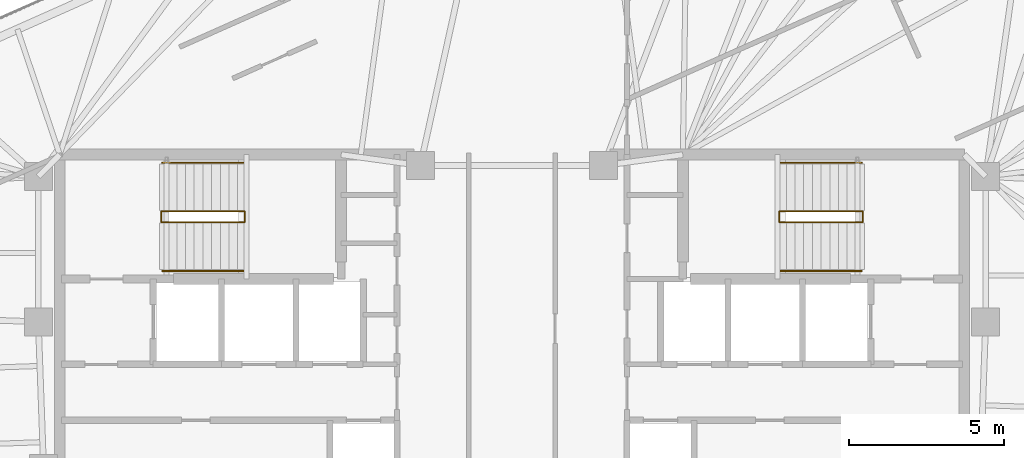
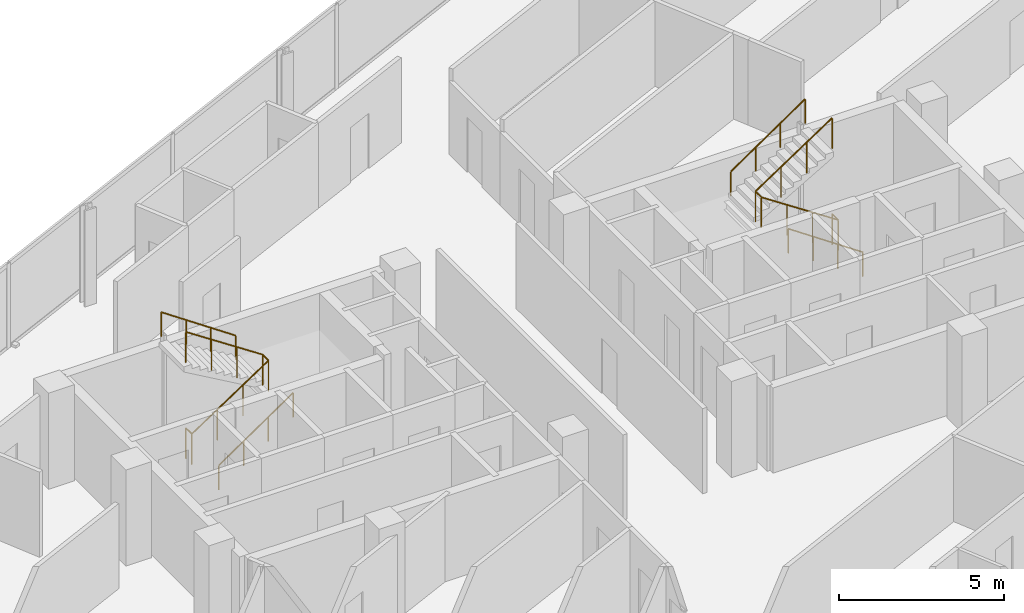
# One storey, part 19 of 19: 6 railings.
"""IFC4 building model written with IfcOpenShell, lengths in metres."""

from ifc_helpers import new_model, si_unit, direction, frame, origin, origin_2d, place, context, subcontext, project, spatial, circle, extrude, material, type_object, element, save


model = new_model("IFC4")

# Units and contexts
model_context = context("Model", 3, precision=1e-05, world=origin(), true_north=direction((0.0, 1.0)))
body_context = subcontext(model_context, "Body", "Model", "MODEL_VIEW")
ifc_project = project(units=[si_unit("LENGTHUNIT", "METRE"), si_unit("AREAUNIT", "SQUARE_METRE"), si_unit("VOLUMEUNIT", "CUBIC_METRE"), si_unit("PLANEANGLEUNIT", "RADIAN"), si_unit("MASSUNIT", "GRAM", prefix="KILO")], contexts=[model_context])

# Site, building, storey
site_placement = place(None, origin())
site = spatial("IfcSite", under=ifc_project, at=site_placement, CompositionType="ELEMENT")
building_placement = place(site_placement, origin())
building = spatial("IfcBuilding", under=site, at=building_placement, Name="Menara Jurai Vektor", CompositionType="ELEMENT")
storey_placement = place(building_placement, frame((0.0, 0.0, 302.0)))
storey = spatial("IfcBuildingStorey", under=building, at=storey_placement, Name="L81", CompositionType="ELEMENT", Elevation=302.0)

# Railings
ifc_material_1 = material(Name="Painted Galvanised Steel Balustrade", Category="steel")
railing_type_1 = type_object("IfcRailingType", Name="RAIL-STAIR-GUARD", PredefinedType="GUARDRAIL", material=ifc_material_1)
railing_1_placement = place(storey_placement, frame((-11.2900390625, 3.780029296875, 0.0)))
element("IfcRailing", 1, at=railing_1_placement, inside=storey, type_object=railing_type_1, Name="ST1 Stair Guardrail 1 L81", PredefinedType="GUARDRAIL", context=body_context, shape_type="SweptSolid", body=[
    extrude(circle(Radius=0.02392578125, at=origin_2d()), frame((0.0, 0.0, 1.1259765625), z_axis=(0.0, -1.0, 0.0), x_axis=(1.0, 0.0, 0.0)), (0.0, 0.0, 1.0), 0.360107421875),
    extrude(circle(Radius=0.02392578125, at=origin_2d()), frame((0.0, -0.360107421875, 1.1259765625), z_axis=(0.833729103219, 0.0, 0.552173688658), x_axis=(0.0, 1.0, 0.0)), (0.0, 0.0, 1.0), 3.21435546875),
    extrude(circle(Radius=0.02392578125, at=origin_2d()), frame((2.679931640625, -0.360107421875, 2.90087890625), z_axis=(0.0, 1.0, 0.0), x_axis=(-1.0, 0.0, 0.0)), (0.0, 0.0, 1.0), 0.360107421875),
    extrude(circle(Radius=0.02392578125, at=origin_2d()), frame((2.679931640625, 0.0, 2.90087890625), z_axis=(-0.833694137334, 0.0, 0.552226480146), x_axis=(0.0, -1.0, 0.0)), (0.0, 0.0, 1.0), 3.214599609375),
    extrude(circle(Radius=0.02099609375, at=origin_2d()), origin(), (0.0, 0.0, 1.0), 1.101806640625),
    extrude(circle(Radius=0.02099609375, at=origin_2d()), frame((0.0, -0.360107421875, 0.0)), (0.0, 0.0, 1.0), 1.101806640625),
    extrude(circle(Radius=0.02099609375, at=origin_2d()), frame((0.893310546875, -0.360107421875, 0.591552734375)), (0.0, 0.0, 1.0), 1.101806640625),
    extrude(circle(Radius=0.02099609375, at=origin_2d()), frame((1.78662109375, -0.360107421875, 1.183349609375)), (0.0, 0.0, 1.0), 1.101806640625),
    extrude(circle(Radius=0.02099609375, at=origin_2d()), frame((2.679931640625, -0.360107421875, 1.77490234375)), (0.0, 0.0, 1.0), 1.101806640625),
    extrude(circle(Radius=0.02099609375, at=origin_2d()), frame((2.679931640625, 0.0, 1.77490234375)), (0.0, 0.0, 1.0), 1.101806640625),
    extrude(circle(Radius=0.02099609375, at=origin_2d()), frame((1.78662109375, 0.0, 2.36669921875)), (0.0, 0.0, 1.0), 1.101806640625),
    extrude(circle(Radius=0.02099609375, at=origin_2d()), frame((0.893310546875, 0.0, 2.958251953125)), (0.0, 0.0, 1.0), 1.101806640625),
    extrude(circle(Radius=0.02099609375, at=origin_2d()), frame((0.0, 0.0, 3.550048828125)), (0.0, 0.0, 1.0), 1.101806640625),
])
railing_2_placement = place(storey_placement, frame((11.2900390625, 3.780029296875, 0.0)))
element("IfcRailing", 2, at=railing_2_placement, inside=storey, type_object=railing_type_1, Name="ST2 Stair Guardrail 1 L81", PredefinedType="GUARDRAIL", context=body_context, shape_type="SweptSolid", body=[
    extrude(circle(Radius=0.02392578125, at=origin_2d()), frame((0.0, 0.0, 1.1259765625), z_axis=(0.0, -1.0, 0.0), x_axis=(1.0, 0.0, 0.0)), (0.0, 0.0, 1.0), 0.360107421875),
    extrude(circle(Radius=0.02392578125, at=origin_2d()), frame((0.0, -0.360107421875, 1.1259765625), z_axis=(-0.833729103219, 0.0, 0.552173688658), x_axis=(0.0, -1.0, 0.0)), (0.0, 0.0, 1.0), 3.21435546875),
    extrude(circle(Radius=0.02392578125, at=origin_2d()), frame((-2.679931640625, -0.360107421875, 2.90087890625), z_axis=(0.0, 1.0, 0.0), x_axis=(-1.0, 0.0, 0.0)), (0.0, 0.0, 1.0), 0.360107421875),
    extrude(circle(Radius=0.02392578125, at=origin_2d()), frame((-2.679931640625, 0.0, 2.90087890625), z_axis=(0.833694137334, 0.0, 0.552226480146), x_axis=(0.0, 1.0, 0.0)), (0.0, 0.0, 1.0), 3.214599609375),
    extrude(circle(Radius=0.02099609375, at=origin_2d()), origin(), (0.0, 0.0, 1.0), 1.101806640625),
    extrude(circle(Radius=0.02099609375, at=origin_2d()), frame((0.0, -0.360107421875, 0.0)), (0.0, 0.0, 1.0), 1.101806640625),
    extrude(circle(Radius=0.02099609375, at=origin_2d()), frame((-0.893310546875, -0.360107421875, 0.591552734375)), (0.0, 0.0, 1.0), 1.101806640625),
    extrude(circle(Radius=0.02099609375, at=origin_2d()), frame((-1.78662109375, -0.360107421875, 1.183349609375)), (0.0, 0.0, 1.0), 1.101806640625),
    extrude(circle(Radius=0.02099609375, at=origin_2d()), frame((-2.679931640625, -0.360107421875, 1.77490234375)), (0.0, 0.0, 1.0), 1.101806640625),
    extrude(circle(Radius=0.02099609375, at=origin_2d()), frame((-2.679931640625, 0.0, 1.77490234375)), (0.0, 0.0, 1.0), 1.101806640625),
    extrude(circle(Radius=0.02099609375, at=origin_2d()), frame((-1.78662109375, 0.0, 2.36669921875)), (0.0, 0.0, 1.0), 1.101806640625),
    extrude(circle(Radius=0.02099609375, at=origin_2d()), frame((-0.893310546875, 0.0, 2.958251953125)), (0.0, 0.0, 1.0), 1.101806640625),
    extrude(circle(Radius=0.02099609375, at=origin_2d()), frame((0.0, 0.0, 3.550048828125)), (0.0, 0.0, 1.0), 1.101806640625),
])
ifc_material_2 = material(Name="Brushed Stainless Steel Handrail", Category="steel")
railing_type_2 = type_object("IfcRailingType", Name="RAIL-STAIR-HAND", PredefinedType="HANDRAIL", material=ifc_material_2)
railing_3_placement = place(storey_placement, frame((-11.25, 1.860107421875, 0.0)))
element("IfcRailing", 3, at=railing_3_placement, inside=storey, type_object=railing_type_2, Name="ST1 Stair Handrail 1 L81", PredefinedType="HANDRAIL", context=body_context, shape_type="SweptSolid", body=[
    extrude(circle(Radius=0.02392578125, at=origin_2d()), frame((0.0, 0.0, 0.89599609375), z_axis=(0.82591548198, 0.0, 0.563793948732), x_axis=(0.0, 1.0, 0.0)), (0.0, 0.0, 1.0), 3.148193359375),
    extrude(circle(Radius=0.02099609375, at=origin_2d()), origin(), (0.0, 0.0, 1.0), 0.871826171875),
    extrude(circle(Radius=0.02099609375, at=origin_2d()), frame((0.86669921875, 0.0, 0.591552734375)), (0.0, 0.0, 1.0), 0.871826171875),
    extrude(circle(Radius=0.02099609375, at=origin_2d()), frame((1.7333984375, 0.0, 1.183349609375)), (0.0, 0.0, 1.0), 0.871826171875),
    extrude(circle(Radius=0.02099609375, at=origin_2d()), frame((2.60009765625, 0.0, 1.77490234375)), (0.0, 0.0, 1.0), 0.871826171875),
])
railing_4_placement = place(storey_placement, frame((-8.64990234375, 5.340087890625, 1.77490234375)))
element("IfcRailing", 4, at=railing_4_placement, inside=storey, type_object=railing_type_2, Name="ST1 Stair Handrail 2 L81", PredefinedType="HANDRAIL", context=body_context, shape_type="SweptSolid", body=[
    extrude(circle(Radius=0.02392578125, at=origin_2d()), frame((0.0, 0.0, 0.89599609375), z_axis=(-0.825879370657, 0.0, 0.56384684545), x_axis=(0.0, -1.0, 0.0)), (0.0, 0.0, 1.0), 3.148193359375),
    extrude(circle(Radius=0.02099609375, at=origin_2d()), origin(), (0.0, 0.0, 1.0), 0.871826171875),
    extrude(circle(Radius=0.02099609375, at=origin_2d()), frame((-0.86669921875, 0.0, 0.591796875)), (0.0, 0.0, 1.0), 0.871826171875),
    extrude(circle(Radius=0.02099609375, at=origin_2d()), frame((-1.7333984375, 0.0, 1.183349609375)), (0.0, 0.0, 1.0), 0.871826171875),
    extrude(circle(Radius=0.02099609375, at=origin_2d()), frame((-2.60009765625, 0.0, 1.775146484375)), (0.0, 0.0, 1.0), 0.871826171875),
])
railing_5_placement = place(storey_placement, frame((11.25, 1.860107421875, 0.0)))
element("IfcRailing", 5, at=railing_5_placement, inside=storey, type_object=railing_type_2, Name="ST2 Stair Handrail 1 L81", PredefinedType="HANDRAIL", context=body_context, shape_type="SweptSolid", body=[
    extrude(circle(Radius=0.02392578125, at=origin_2d()), frame((0.0, 0.0, 0.89599609375), z_axis=(-0.82591548198, 0.0, 0.563793948732), x_axis=(0.0, -1.0, 0.0)), (0.0, 0.0, 1.0), 3.148193359375),
    extrude(circle(Radius=0.02099609375, at=origin_2d()), origin(), (0.0, 0.0, 1.0), 0.871826171875),
    extrude(circle(Radius=0.02099609375, at=origin_2d()), frame((-0.86669921875, 0.0, 0.591552734375)), (0.0, 0.0, 1.0), 0.871826171875),
    extrude(circle(Radius=0.02099609375, at=origin_2d()), frame((-1.7333984375, 0.0, 1.183349609375)), (0.0, 0.0, 1.0), 0.871826171875),
    extrude(circle(Radius=0.02099609375, at=origin_2d()), frame((-2.60009765625, 0.0, 1.77490234375)), (0.0, 0.0, 1.0), 0.871826171875),
])
railing_6_placement = place(storey_placement, frame((8.64990234375, 5.340087890625, 1.77490234375)))
element("IfcRailing", 6, at=railing_6_placement, inside=storey, type_object=railing_type_2, Name="ST2 Stair Handrail 2 L81", PredefinedType="HANDRAIL", context=body_context, shape_type="SweptSolid", body=[
    extrude(circle(Radius=0.02392578125, at=origin_2d()), frame((0.0, 0.0, 0.89599609375), z_axis=(0.825879370657, 0.0, 0.56384684545), x_axis=(0.0, 1.0, 0.0)), (0.0, 0.0, 1.0), 3.148193359375),
    extrude(circle(Radius=0.02099609375, at=origin_2d()), origin(), (0.0, 0.0, 1.0), 0.871826171875),
    extrude(circle(Radius=0.02099609375, at=origin_2d()), frame((0.86669921875, 0.0, 0.591796875)), (0.0, 0.0, 1.0), 0.871826171875),
    extrude(circle(Radius=0.02099609375, at=origin_2d()), frame((1.7333984375, 0.0, 1.183349609375)), (0.0, 0.0, 1.0), 0.871826171875),
    extrude(circle(Radius=0.02099609375, at=origin_2d()), frame((2.60009765625, 0.0, 1.775146484375)), (0.0, 0.0, 1.0), 0.871826171875),
])

save(model, "model.ifc")
